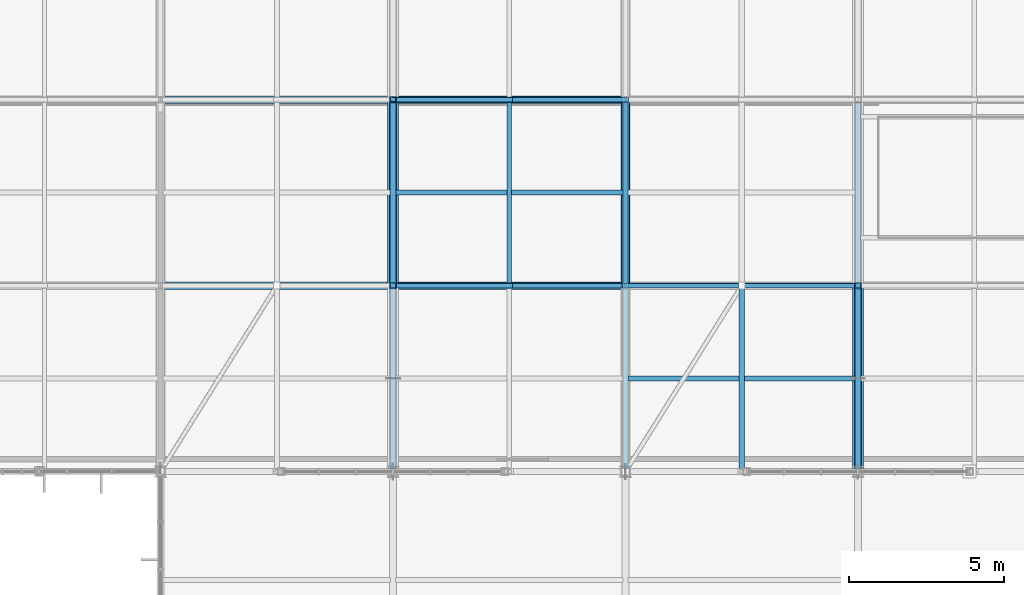
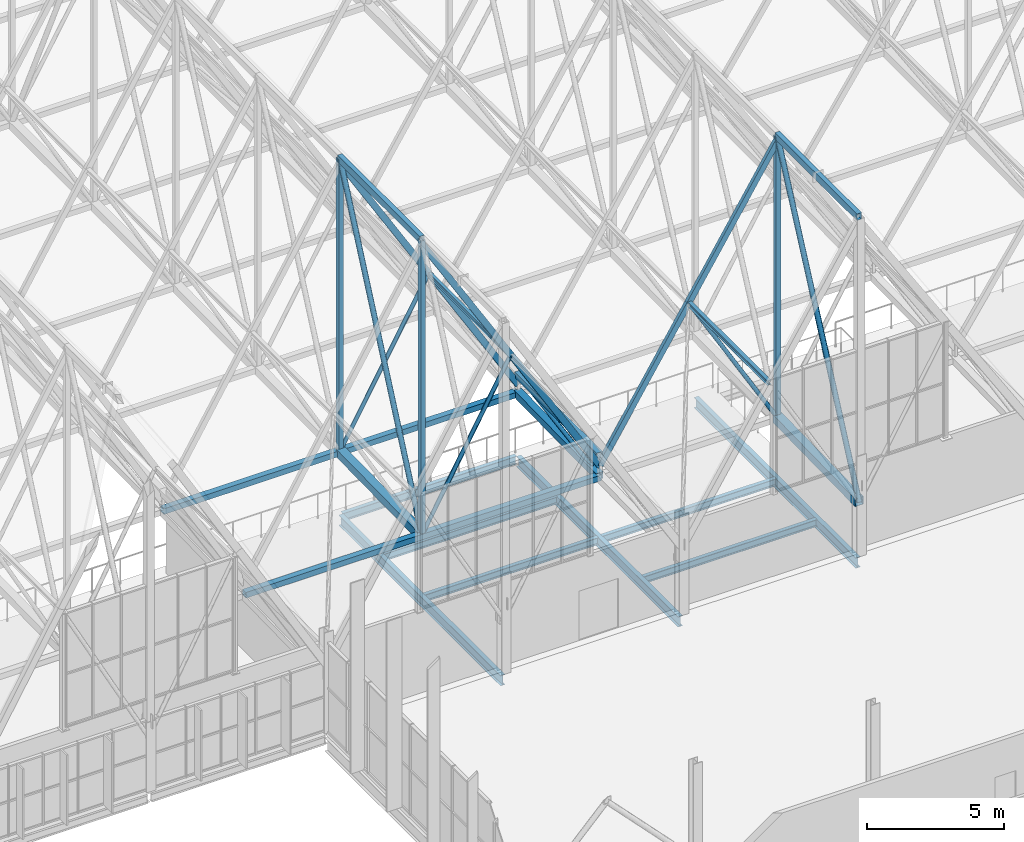
# One storey, part 145 of 324: 23 members, 10 beams.
"""IFC4 building model written with IfcOpenShell, lengths in metres."""

from ifc_helpers import new_model, si_unit, direction, frame, origin, origin_2d, place, context, subcontext, project, spatial, hollow_rectangle, hollow_circle, i_section, extrude, material, material_profile, profile_set, type_object, element, save


model = new_model("IFC4")

# Units and contexts
model_context = context("Model", 3, precision=1e-05, world=origin(), true_north=direction((0.0, 1.0)))
body_context = subcontext(model_context, "Body", "Model", "MODEL_VIEW")
ifc_project = project(units=[si_unit("LENGTHUNIT", "METRE"), si_unit("AREAUNIT", "SQUARE_METRE"), si_unit("VOLUMEUNIT", "CUBIC_METRE"), si_unit("PLANEANGLEUNIT", "RADIAN"), si_unit("MASSUNIT", "GRAM", prefix="KILO")], contexts=[model_context])

# Site, building, storey
site_placement = place(None, origin())
site = spatial("IfcSite", under=ifc_project, at=site_placement, CompositionType="ELEMENT")
building_placement = place(site_placement, origin())
building = spatial("IfcBuilding", under=site, at=building_placement, Name="Solvenia Promenade Tram Depot", CompositionType="ELEMENT")
storey_placement = place(building_placement, frame((0.0, 0.0, 4.5)))
storey = spatial("IfcBuildingStorey", under=building, at=storey_placement, Name="L01", CompositionType="ELEMENT", Elevation=4.5)

# Beams
ifc_material_1 = material(Name="Structural steel ASTM A992 Gr. 50", Category="steel")
ifc_material_profile_1 = material_profile(ifc_material_1, i_section(OverallWidth=0.19091796875, OverallDepth=0.4599609375, WebThickness=0.010009765625, FlangeThickness=0.01611328125, FilletRadius=0.012939453125, at=origin_2d()), Name="W460x82", Category="steel")
ifc_profile_set_1 = profile_set([ifc_material_profile_1], Name="Structural steel ASTM A992 Gr. 50")
beam_type_1 = type_object("IfcBeamType", Name="Beam-W460x82", PredefinedType="BEAM", material=ifc_profile_set_1)
for number, where, z_axis, x_axis, name in (
    (1, (112.5, 66.0849609375, -0.449951171875), (0.0, 1.0, 0.0), (-1.0, 0.0, 0.0), "Transverse Girder BM-L01-0056"),
    (2, (120.0, 66.0849609375, -0.449951171875), (0.0, 1.0, 0.0), (-1.0, 0.0, 0.0), "Transverse Girder BM-L01-0057"),
    (3, (127.5, 66.0849609375, -0.449951171875), (0.0, 1.0, 0.0), (-1.0, 0.0, 0.0), "Transverse Girder BM-L01-0058"),
):
    element("IfcBeam", number, at=place(storey_placement, frame(where, z_axis=z_axis, x_axis=x_axis)), inside=storey, type_object=beam_type_1, Name=name, PredefinedType="BEAM", context=body_context, shape_type="SweptSolid", body=[
        extrude(i_section(OverallWidth=0.19091796875, OverallDepth=0.4599609375, WebThickness=0.010009765625, FlangeThickness=0.01611328125, FilletRadius=0.012939453125, at=origin_2d()), origin(), (0.0, 0.0, 1.0), 11.830078125),
    ])

# Members
ifc_material_2 = material(Name="Structural steel ASTM A500 Gr. C", Category="steel")
ifc_material_profile_2 = material_profile(ifc_material_2, hollow_circle(Radius=0.109619140625, WallThickness=0.008056640625, at=origin_2d()), Name="CHS219.1x8", Category="steel")
ifc_profile_set_2 = profile_set([ifc_material_profile_2], Name="Structural steel ASTM A500 Gr. C")
member_type_1 = type_object("IfcMemberType", Name="Brace-CHS219x8", PredefinedType="BRACE", material=ifc_profile_set_2)
member_1_placement = place(storey_placement, frame((112.5, 72.0, 2.446044921875), z_axis=(0.0, 0.413778842299, 0.910377432533), x_axis=(-1.0, 0.0, 0.0)))
element("IfcMember", 4, at=member_1_placement, inside=storey, type_object=member_type_1, Name="Arched Truss T16 Web Diagonal S02", PredefinedType="BRACE", context=body_context, shape_type="SweptSolid", body=[
    extrude(hollow_circle(Radius=0.109619140625, WallThickness=0.008056640625, at=origin_2d()), origin(), (0.0, 0.0, 1.0), 14.50048828125),
])
member_2_placement = place(storey_placement, frame((127.5, 66.0, 2.320068359375), z_axis=(0.0, 0.426619479473, 0.904431213379), x_axis=(-1.0, 0.0, 0.0)))
element("IfcMember", 5, at=member_2_placement, inside=storey, type_object=member_type_1, Name="Arched Truss T18 Web Diagonal S01", PredefinedType="BRACE", context=body_context, shape_type="SweptSolid", body=[
    extrude(hollow_circle(Radius=0.109619140625, WallThickness=0.008056640625, at=origin_2d()), origin(), (0.0, 0.0, 1.0), 14.06396484375),
])
ifc_material_profile_3 = material_profile(ifc_material_2, hollow_rectangle(XDim=0.14990234375, YDim=0.25, WallThickness=0.010009765625, at=origin_2d()), Name="HSS250x150x10", Category="steel")
ifc_profile_set_3 = profile_set([ifc_material_profile_3], Name="Structural steel ASTM A500 Gr. C")
member_type_2 = type_object("IfcMemberType", Name="Chord-HSS250x150x10", PredefinedType="CHORD", material=ifc_profile_set_3)
for number, where, z_axis, x_axis, name in (
    (6, (112.5, 72.0, 15.42724609375), (0.514584433357, 0.0, -0.857439712718), (0.0, 1.0, 0.0), "Zigzag Gable 08 East Upper Rafter"),
    (7, (116.25, 72.0, 9.1787109375), (0.514584433357, 0.0, -0.857439712718), (0.0, 1.0, 0.0), "Zigzag Gable 08 East Lower Rafter"),
    (8, (112.5, 78.0, 15.42724609375), (0.514584433357, 0.0, -0.857439712718), (0.0, 1.0, 0.0), "Zigzag Gable 08 East Upper Rafter"),
    (9, (116.25, 78.0, 9.1787109375), (0.514584433357, 0.0, -0.857439712718), (0.0, 1.0, 0.0), "Zigzag Gable 08 East Lower Rafter"),
):
    element("IfcMember", number, at=place(storey_placement, frame(where, z_axis=z_axis, x_axis=x_axis)), inside=storey, type_object=member_type_2, Name=name, PredefinedType="CHORD", context=body_context, shape_type="SweptSolid", body=[
        extrude(hollow_rectangle(XDim=0.14990234375, YDim=0.25, WallThickness=0.010009765625, at=origin_2d()), origin(), (0.0, 0.0, 1.0), 7.287353515625),
    ])
member_3_placement = place(storey_placement, frame((120.0, 72.0, 2.942626953125), z_axis=(0.533506771487, 0.0, 0.845795793781), x_axis=(0.0, 1.0, 0.0)))
element("IfcMember", 10, at=member_3_placement, inside=storey, type_object=member_type_2, Name="Zigzag Gable 09 West Lower Rafter", PredefinedType="CHORD", context=body_context, shape_type="SweptSolid", body=[
    extrude(hollow_rectangle(XDim=0.14990234375, YDim=0.25, WallThickness=0.010009765625, at=origin_2d()), origin(), (0.0, 0.0, 1.0), 7.029052734375),
])
member_4_placement = place(storey_placement, frame((123.75, 72.0, 8.8876953125), z_axis=(0.533522444929, 0.0, 0.845785907164), x_axis=(0.0, 1.0, 0.0)))
element("IfcMember", 11, at=member_4_placement, inside=storey, type_object=member_type_2, Name="Zigzag Gable 09 West Upper Rafter", PredefinedType="CHORD", context=body_context, shape_type="SweptSolid", body=[
    extrude(hollow_rectangle(XDim=0.14990234375, YDim=0.25, WallThickness=0.010009765625, at=origin_2d()), origin(), (0.0, 0.0, 1.0), 7.02880859375),
])
ifc_material_profile_4 = material_profile(ifc_material_2, hollow_rectangle(XDim=0.25, YDim=0.25, WallThickness=0.010009765625, at=origin_2d()), Name="HSS250x250x10", Category="steel")
ifc_profile_set_4 = profile_set([ifc_material_profile_4], Name="Structural steel ASTM A500 Gr. C")
member_type_3 = type_object("IfcMemberType", Name="Chord-HSS250x250x10", PredefinedType="CHORD", material=ifc_profile_set_4)
member_5_placement = place(storey_placement, frame((120.0, 72.0, 3.3798828125), z_axis=(0.0, 1.0, 0.0), x_axis=(-1.0, 0.0, 0.0)))
element("IfcMember", 12, at=member_5_placement, inside=storey, type_object=member_type_3, Name="Arched Truss T17 Upper Chord S02", PredefinedType="CHORD", context=body_context, shape_type="SweptSolid", body=[
    extrude(hollow_rectangle(XDim=0.25, YDim=0.25, WallThickness=0.010009765625, at=origin_2d()), origin(), (0.0, 0.0, 1.0), 6.0),
])
for number, where, z_axis, x_axis, name in (
    (13, (105.0, 72.0, 2.446044921875), (1.0, 0.0, 0.0), (0.0, 1.0, 0.0), "Bottom-Chord Catenary Lateral Tie 064"),
    (14, (105.0, 78.0, 2.5439453125), (1.0, 0.0, 0.0), (0.0, 1.0, 0.0), "Bottom-Chord Catenary Lateral Tie 065"),
):
    element("IfcMember", number, at=place(storey_placement, frame(where, z_axis=z_axis, x_axis=x_axis)), inside=storey, type_object=member_type_3, Name=name, PredefinedType="CHORD", context=body_context, shape_type="SweptSolid", body=[
        extrude(hollow_rectangle(XDim=0.25, YDim=0.25, WallThickness=0.010009765625, at=origin_2d()), origin(), (0.0, 0.0, 1.0), 15.0),
    ])
ifc_material_profile_5 = material_profile(ifc_material_2, hollow_rectangle(XDim=0.199951171875, YDim=0.300048828125, WallThickness=0.012451171875, at=origin_2d()), Name="HSS300x200x12.5", Category="steel")
ifc_profile_set_5 = profile_set([ifc_material_profile_5], Name="Structural steel ASTM A500 Gr. C")
member_type_4 = type_object("IfcMemberType", Name="Chord-HSS300x200x12", PredefinedType="CHORD", material=ifc_profile_set_5)
for number, where, z_axis, x_axis, name in (
    (15, (112.5, 72.0, 15.64697265625), (0.0, 1.0, 0.0), (-1.0, 0.0, 0.0), "Arched Truss T16 Upper Chord S02"),
    (16, (127.5, 66.0, 15.0400390625), (0.0, 1.0, 0.0), (-1.0, 0.0, 0.0), "Arched Truss T18 Upper Chord S01"),
):
    element("IfcMember", number, at=place(storey_placement, frame(where, z_axis=z_axis, x_axis=x_axis)), inside=storey, type_object=member_type_4, Name=name, PredefinedType="CHORD", context=body_context, shape_type="SweptSolid", body=[
        extrude(hollow_rectangle(XDim=0.199951171875, YDim=0.300048828125, WallThickness=0.012451171875, at=origin_2d()), origin(), (0.0, 0.0, 1.0), 6.0),
    ])
ifc_material_profile_6 = material_profile(ifc_material_2, hollow_rectangle(XDim=0.300048828125, YDim=0.300048828125, WallThickness=0.012451171875, at=origin_2d()), Name="HSS300x300x12.5", Category="steel")
ifc_profile_set_6 = profile_set([ifc_material_profile_6], Name="Structural steel ASTM A500 Gr. C")
member_type_5 = type_object("IfcMemberType", Name="Chord-HSS300x300x12", PredefinedType="CHORD", material=ifc_profile_set_6)
member_6_placement = place(storey_placement, frame((120.0, 72.0, 2.446044921875), z_axis=(0.0, 0.999866908707, 0.016314560156), x_axis=(-1.0, 0.0, 0.0)))
element("IfcMember", 17, at=member_6_placement, inside=storey, type_object=member_type_5, Name="Arched Truss T17 Bottom Chord S02", PredefinedType="CHORD", context=body_context, shape_type="SweptSolid", body=[
    extrude(hollow_rectangle(XDim=0.300048828125, YDim=0.300048828125, WallThickness=0.012451171875, at=origin_2d()), origin(), (0.0, 0.0, 1.0), 6.000732421875),
])
ifc_material_profile_7 = material_profile(ifc_material_2, hollow_rectangle(XDim=0.35009765625, YDim=0.35009765625, WallThickness=0.01611328125, at=origin_2d()), Name="HSS350x350x16", Category="steel")
ifc_profile_set_7 = profile_set([ifc_material_profile_7], Name="Structural steel ASTM A500 Gr. C")
member_type_6 = type_object("IfcMemberType", Name="Chord-HSS350x350x16", PredefinedType="CHORD", material=ifc_profile_set_7)
member_7_placement = place(storey_placement, frame((112.5, 72.0, 2.446044921875), z_axis=(0.0, 0.999866908707, 0.016314560156), x_axis=(-1.0, 0.0, 0.0)))
element("IfcMember", 18, at=member_7_placement, inside=storey, type_object=member_type_6, Name="Arched Truss T16 Bottom Chord S02", PredefinedType="CHORD", context=body_context, shape_type="SweptSolid", body=[
    extrude(hollow_rectangle(XDim=0.35009765625, YDim=0.35009765625, WallThickness=0.01611328125, at=origin_2d()), origin(), (0.0, 0.0, 1.0), 6.000732421875),
])
member_8_placement = place(storey_placement, frame((127.5, 66.0, 2.320068359375), z_axis=(0.0, 0.999779654873, 0.020991467363), x_axis=(-1.0, 0.0, 0.0)))
element("IfcMember", 19, at=member_8_placement, inside=storey, type_object=member_type_6, Name="Arched Truss T18 Bottom Chord S01", PredefinedType="CHORD", context=body_context, shape_type="SweptSolid", body=[
    extrude(hollow_rectangle(XDim=0.35009765625, YDim=0.35009765625, WallThickness=0.01611328125, at=origin_2d()), origin(), (0.0, 0.0, 1.0), 6.001220703125),
])

# Beams
ifc_material_profile_8 = material_profile(ifc_material_1, i_section(OverallWidth=0.166015625, OverallDepth=0.31298828125, WebThickness=0.006591796875, FlangeThickness=0.01123046875, FilletRadius=0.010009765625, at=origin_2d()), Name="W310x45", Category="steel")
ifc_profile_set_8 = profile_set([ifc_material_profile_8], Name="Structural steel ASTM A992 Gr. 50")
beam_type_2 = type_object("IfcBeamType", Name="Joist-W310x45", PredefinedType="JOIST", material=ifc_profile_set_8)
for number, where, z_axis, x_axis, name in (
    (20, (112.5849609375, 72.0, -0.37646484375), (1.0, 0.0, 0.0), (0.0, 1.0, 0.0), "Secondary Floor Joist BM-L01-0107"),
    (21, (112.5849609375, 75.0, -0.37646484375), (1.0, 0.0, 0.0), (0.0, 1.0, 0.0), "Secondary Floor Joist BM-L01-0108"),
    (22, (120.0849609375, 69.0, -0.37646484375), (1.0, 0.0, 0.0), (0.0, 1.0, 0.0), "Secondary Floor Joist BM-L01-0109"),
    (23, (120.0849609375, 72.0, -0.37646484375), (1.0, 0.0, 0.0), (0.0, 1.0, 0.0), "Secondary Floor Joist BM-L01-0110"),
):
    element("IfcBeam", number, at=place(storey_placement, frame(where, z_axis=z_axis, x_axis=x_axis)), inside=storey, type_object=beam_type_2, Name=name, PredefinedType="JOIST", context=body_context, shape_type="SweptSolid", body=[
        extrude(i_section(OverallWidth=0.166015625, OverallDepth=0.31298828125, WebThickness=0.006591796875, FlangeThickness=0.01123046875, FilletRadius=0.010009765625, at=origin_2d()), origin(), (0.0, 0.0, 1.0), 7.330078125),
    ])

# Members
ifc_material_profile_9 = material_profile(ifc_material_2, hollow_rectangle(XDim=0.199951171875, YDim=0.199951171875, WallThickness=0.010009765625, at=origin_2d()), Name="HSS200x200x10", Category="steel")
ifc_profile_set_9 = profile_set([ifc_material_profile_9], Name="Structural steel ASTM A500 Gr. C")
member_type_7 = type_object("IfcMemberType", Name="Post-HSS200x200x10", PredefinedType="POST", material=ifc_profile_set_9)
member_9_placement = place(storey_placement, frame((112.5, 72.0, 2.446044921875), z_axis=(0.0, 0.0, 1.0), x_axis=(1.0, 0.0, 0.0)))
element("IfcMember", 24, at=member_9_placement, inside=storey, type_object=member_type_7, Name="Arched Truss T16 Web Post S01", PredefinedType="POST", context=body_context, shape_type="SweptSolid", body=[
    extrude(hollow_rectangle(XDim=0.199951171875, YDim=0.199951171875, WallThickness=0.010009765625, at=origin_2d()), origin(), (0.0, 0.0, 1.0), 13.200927734375),
])
member_10_placement = place(storey_placement, frame((112.5, 78.0, 2.5439453125), z_axis=(0.0, 0.0, 1.0), x_axis=(1.0, 0.0, 0.0)))
element("IfcMember", 25, at=member_10_placement, inside=storey, type_object=member_type_7, Name="Arched Truss T16 Web Post S02", PredefinedType="POST", context=body_context, shape_type="SweptSolid", body=[
    extrude(hollow_rectangle(XDim=0.199951171875, YDim=0.199951171875, WallThickness=0.010009765625, at=origin_2d()), origin(), (0.0, 0.0, 1.0), 13.10302734375),
])
member_11_placement = place(storey_placement, frame((127.5, 72.0, 2.446044921875), z_axis=(0.0, 0.0, 1.0), x_axis=(1.0, 0.0, 0.0)))
element("IfcMember", 26, at=member_11_placement, inside=storey, type_object=member_type_7, Name="Arched Truss T18 Web Post S01", PredefinedType="POST", context=body_context, shape_type="SweptSolid", body=[
    extrude(hollow_rectangle(XDim=0.199951171875, YDim=0.199951171875, WallThickness=0.010009765625, at=origin_2d()), origin(), (0.0, 0.0, 1.0), 12.593994140625),
])

# Beams
ifc_material_profile_10 = material_profile(ifc_material_1, i_section(OverallWidth=0.133056640625, OverallDepth=0.20703125, WebThickness=0.005859375, FlangeThickness=0.00830078125, FilletRadius=0.009033203125, at=origin_2d()), Name="W200x27", Category="steel")
ifc_profile_set_10 = profile_set([ifc_material_profile_10], Name="Structural steel ASTM A992 Gr. 50")
beam_type_3 = type_object("IfcBeamType", Name="Purlin-W200x27", PredefinedType="USERDEFINED", material=ifc_profile_set_10)
beam_1_placement = place(storey_placement, frame((116.25, 72.0849609375, 9.169677734375), z_axis=(0.0, 1.0, 0.0), x_axis=(-1.0, 0.0, 0.0)))
element("IfcBeam", 27, at=beam_1_placement, inside=storey, type_object=beam_type_3, Name="Gable Roof Purlin E-0144", ObjectType="PURLIN", PredefinedType="USERDEFINED", context=body_context, shape_type="SweptSolid", body=[
    extrude(i_section(OverallWidth=0.133056640625, OverallDepth=0.20703125, WebThickness=0.005859375, FlangeThickness=0.00830078125, FilletRadius=0.009033203125, at=origin_2d()), origin(), (0.0, 0.0, 1.0), 5.830078125),
])
ifc_material_profile_11 = material_profile(ifc_material_1, i_section(OverallWidth=0.1650390625, OverallDepth=0.200927734375, WebThickness=0.006103515625, FlangeThickness=0.01025390625, FilletRadius=0.010009765625, at=origin_2d()), Name="W200x36", Category="steel")
ifc_profile_set_11 = profile_set([ifc_material_profile_11], Name="Structural steel ASTM A992 Gr. 50")
beam_type_4 = type_object("IfcBeamType", Name="Purlin-W200x36", PredefinedType="USERDEFINED", material=ifc_profile_set_11)
beam_2_placement = place(storey_placement, frame((123.75, 66.0849609375, 8.8857421875), z_axis=(0.0, 1.0, 0.0), x_axis=(-1.0, 0.0, 0.0)))
element("IfcBeam", 28, at=beam_2_placement, inside=storey, type_object=beam_type_4, Name="Gable Roof Purlin W-0161", ObjectType="PURLIN", PredefinedType="USERDEFINED", context=body_context, shape_type="SweptSolid", body=[
    extrude(i_section(OverallWidth=0.1650390625, OverallDepth=0.200927734375, WebThickness=0.006103515625, FlangeThickness=0.01025390625, FilletRadius=0.010009765625, at=origin_2d()), origin(), (0.0, 0.0, 1.0), 5.830078125),
])
ifc_material_profile_12 = material_profile(ifc_material_1, i_section(OverallWidth=0.172119140625, OverallDepth=0.35791015625, WebThickness=0.0078125, FlangeThickness=0.01318359375, FilletRadius=0.010986328125, at=origin_2d()), Name="W360x57", Category="steel")
ifc_profile_set_12 = profile_set([ifc_material_profile_12], Name="Structural steel ASTM A992 Gr. 50")
beam_type_5 = type_object("IfcBeamType", Name="Spandrel-W360x57", PredefinedType="SPANDREL", material=ifc_profile_set_12)
beam_3_placement = place(storey_placement, frame((112.5849609375, 78.0, -0.39892578125), z_axis=(1.0, 0.0, 0.0), x_axis=(0.0, 1.0, 0.0)))
element("IfcBeam", 29, at=beam_3_placement, inside=storey, type_object=beam_type_5, Name="Perimeter Spandrel BM-L01-0036", PredefinedType="SPANDREL", context=body_context, shape_type="SweptSolid", body=[
    extrude(i_section(OverallWidth=0.172119140625, OverallDepth=0.35791015625, WebThickness=0.0078125, FlangeThickness=0.01318359375, FilletRadius=0.010986328125, at=origin_2d()), origin(), (0.0, 0.0, 1.0), 7.330078125),
])

# Members
ifc_material_profile_13 = material_profile(ifc_material_2, hollow_circle(Radius=0.084228515625, WallThickness=0.008056640625, at=origin_2d()), Name="CHS168.3x8", Category="steel")
ifc_profile_set_13 = profile_set([ifc_material_profile_13], Name="Structural steel ASTM A500 Gr. C")
member_type_8 = type_object("IfcMemberType", Name="WebDiag-CHS168x8", PredefinedType="BRACE", material=ifc_profile_set_13)
member_12_placement = place(storey_placement, frame((120.0, 72.0, 2.446044921875), z_axis=(0.0, 0.9881038455, 0.153788135133), x_axis=(-1.0, 0.0, 0.0)))
element("IfcMember", 30, at=member_12_placement, inside=storey, type_object=member_type_8, Name="Arched Truss T17 Web Diagonal S02", PredefinedType="BRACE", context=body_context, shape_type="SweptSolid", body=[
    extrude(hollow_circle(Radius=0.084228515625, WallThickness=0.008056640625, at=origin_2d()), origin(), (0.0, 0.0, 1.0), 6.072265625),
])
member_13_placement = place(storey_placement, frame((112.5, 72.0, 2.446044921875), z_axis=(0.486597510161, 0.0, 0.873626271986), x_axis=(0.0, 1.0, 0.0)))
element("IfcMember", 31, at=member_13_placement, inside=storey, type_object=member_type_8, Name="Zigzag Gable 08 East Knee Strut", PredefinedType="BRACE", context=body_context, shape_type="SweptSolid", body=[
    extrude(hollow_circle(Radius=0.084228515625, WallThickness=0.008056640625, at=origin_2d()), origin(), (0.0, 0.0, 1.0), 7.70654296875),
])
member_14_placement = place(storey_placement, frame((112.5, 78.0, 2.5439453125), z_axis=(0.492048812039, 0.0, 0.870567611717), x_axis=(0.0, 1.0, 0.0)))
element("IfcMember", 32, at=member_14_placement, inside=storey, type_object=member_type_8, Name="Zigzag Gable 08 East Knee Strut", PredefinedType="BRACE", context=body_context, shape_type="SweptSolid", body=[
    extrude(hollow_circle(Radius=0.084228515625, WallThickness=0.008056640625, at=origin_2d()), origin(), (0.0, 0.0, 1.0), 7.62109375),
])
member_15_placement = place(storey_placement, frame((127.5, 72.0, 2.446044921875), z_axis=(-0.503107125653, 0.0, 0.864224056664), x_axis=(0.0, -1.0, 0.0)))
element("IfcMember", 33, at=member_15_placement, inside=storey, type_object=member_type_8, Name="Zigzag Gable 09 West Knee Strut", PredefinedType="BRACE", context=body_context, shape_type="SweptSolid", body=[
    extrude(hollow_circle(Radius=0.084228515625, WallThickness=0.008056640625, at=origin_2d()), origin(), (0.0, 0.0, 1.0), 7.45361328125),
])

save(model, "model.ifc")
